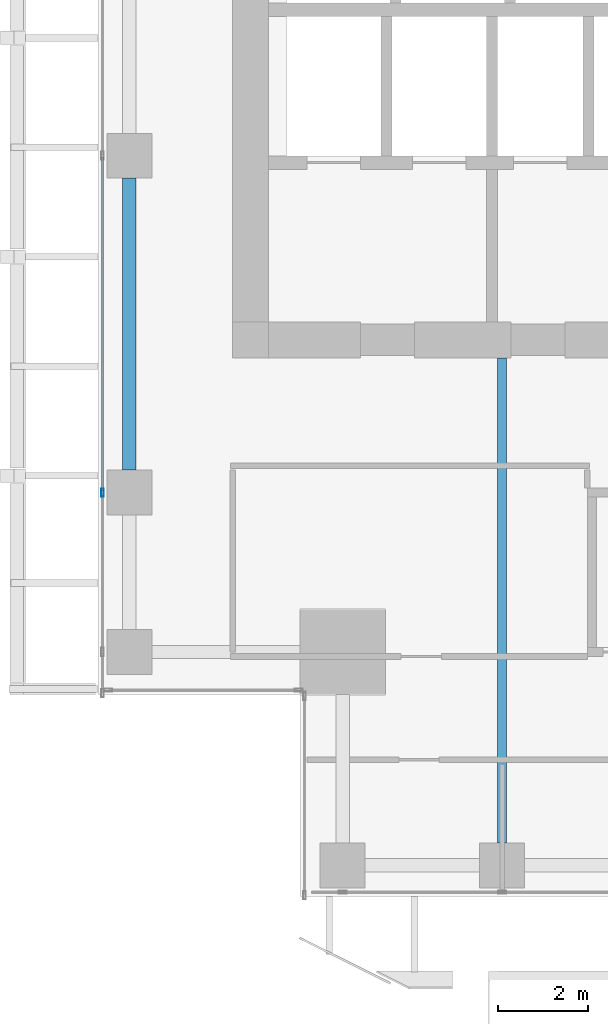
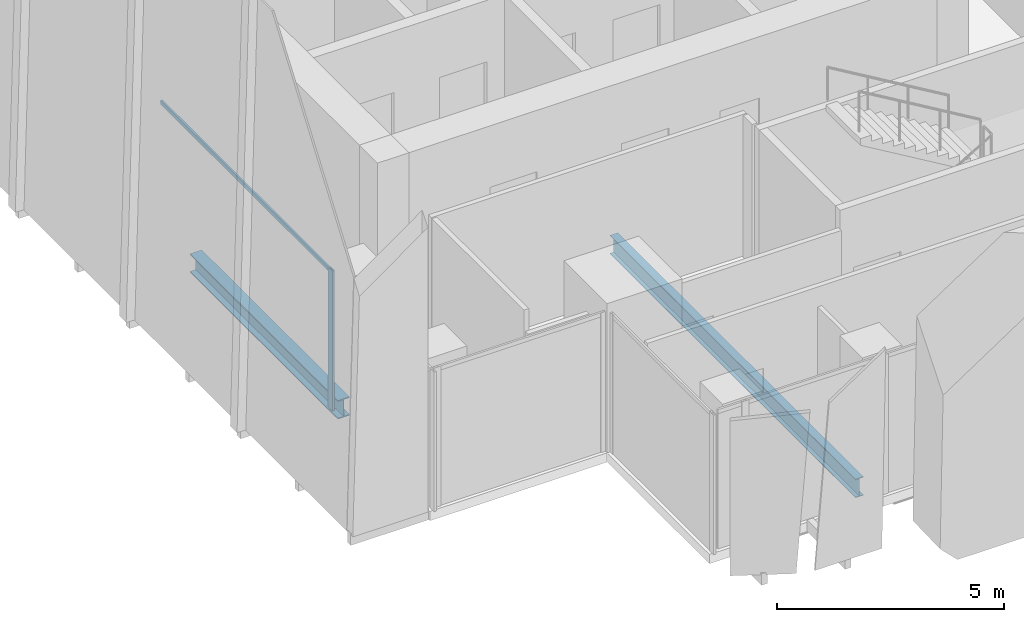
# One storey, part 4 of 35: 2 beams, 2 members, 1 element without a shape of its own.
"""IFC4 building model written with IfcOpenShell, lengths in metres."""

from ifc_helpers import new_model, si_unit, direction, frame, origin, origin_2d, place, context, subcontext, project, spatial, hollow_rectangle, i_section, extrude, source, transform, mapped, material, material_profile, profile_set, type_object, element, aggregate, save


model = new_model("IFC4")

# Units and contexts
model_context = context("Model", 3, precision=1e-05, world=origin(), true_north=direction((0.0, 1.0)))
body_context = subcontext(model_context, "Body", "Model", "MODEL_VIEW")
ifc_project = project(units=[si_unit("LENGTHUNIT", "METRE"), si_unit("AREAUNIT", "SQUARE_METRE"), si_unit("VOLUMEUNIT", "CUBIC_METRE"), si_unit("PLANEANGLEUNIT", "RADIAN"), si_unit("MASSUNIT", "GRAM", prefix="KILO")], contexts=[model_context])

# Site, building, storey
site_placement = place(None, origin())
site = spatial("IfcSite", under=ifc_project, at=site_placement, CompositionType="ELEMENT")
building_placement = place(site_placement, origin())
building = spatial("IfcBuilding", under=site, at=building_placement, Name="Khomas Fold Tower", CompositionType="ELEMENT")
storey_placement = place(building_placement, frame((0.0, 0.0, 188.699951171875)))
storey = spatial("IfcBuildingStorey", under=building, at=storey_placement, Name="L41", CompositionType="ELEMENT", Elevation=188.699951171875)

# Beams
ifc_material_1 = material(Name="Steel S355", Category="steel")
ifc_material_profile_1 = material_profile(ifc_material_1, i_section(OverallWidth=0.300048828125, OverallDepth=0.5, WebThickness=0.014404296875, FlangeThickness=0.028076171875, at=origin_2d()), Name="HE 500 B")
ifc_profile_set_1 = profile_set([ifc_material_profile_1], Name="Steel S355")
beam_type_1 = type_object("IfcBeamType", Name="HE 500 B spandrel SB3", PredefinedType="SPANDREL", material=ifc_profile_set_1)
shared_shape_1 = source(origin(), body_context, "Body", "SweptSolid", [
    extrude(i_section(OverallWidth=0.300048828125, OverallDepth=0.5, WebThickness=0.014404296875, FlangeThickness=0.028076171875, at=origin_2d()), origin(), (0.0, 0.0, 1.0), 6.5),
])
beam_1_placement = place(storey_placement, frame((3.699951171875, 12.5, -0.5), z_axis=(0.0, 1.0, 0.0), x_axis=(-1.0, 0.0, 0.0)))
element("IfcBeam", 1, at=beam_1_placement, inside=storey, type_object=beam_type_1, Name="SB3", PredefinedType="SPANDREL", context=body_context, shape_type="MappedRepresentation", body=[
    mapped(shared_shape_1, transform((0.0, 0.0, 0.0))),
])
ifc_material_2 = material(Name="Steel S355", Category="steel")
ifc_material_profile_2 = material_profile(ifc_material_2, i_section(OverallWidth=0.199951171875, OverallDepth=0.5, WebThickness=0.01025390625, FlangeThickness=0.01611328125, at=origin_2d()), Name="IPE 500")
ifc_profile_set_2 = profile_set([ifc_material_profile_2], Name="Steel S355")
beam_type_2 = type_object("IfcBeamType", Name="IPE 500 beam JB5", PredefinedType="BEAM", material=ifc_profile_set_2)
shared_shape_2 = source(origin(), body_context, "Body", "SweptSolid", [
    extrude(i_section(OverallWidth=0.199951171875, OverallDepth=0.5, WebThickness=0.01025390625, FlangeThickness=0.01611328125, at=origin_2d()), origin(), (0.0, 0.0, 1.0), 10.800048828125),
])
beam_2_placement = place(storey_placement, frame((12.0, 4.199951171875, -0.5), z_axis=(0.0, 1.0, 0.0), x_axis=(-1.0, 0.0, 0.0)))
element("IfcBeam", 2, at=beam_2_placement, inside=storey, type_object=beam_type_2, Name="JB5", PredefinedType="BEAM", context=body_context, shape_type="MappedRepresentation", body=[
    mapped(shared_shape_2, transform((0.0, 0.0, 0.0))),
])

# Curtain wall, members
ifc_material_3 = material(Name="Aluminium framed double glazing", Category="aluminium")
curtain_wall_type = type_object("IfcCurtainWallType", Name="SK-Unitised clear-glass wall, office floors CW2", PredefinedType="NOTDEFINED", material=ifc_material_3)
curtain_wall_placement = place(storey_placement, origin())
curtain_wall = element("IfcCurtainWall", 3, at=curtain_wall_placement, inside=storey, type_object=curtain_wall_type, Name="CW2 run L41 09-0", PredefinedType="NOTDEFINED")
ifc_material_4 = material(Name="Aluminium", Category="aluminium")
ifc_material_profile_3 = material_profile(ifc_material_4, hollow_rectangle(XDim=0.06005859375, YDim=0.179931640625, WallThickness=0.00390625, at=origin_2d()), Name="SK-Unitised clear-glass wall, office floors mullion CW2-M")
ifc_profile_set_3 = profile_set([ifc_material_profile_3], Name="Aluminium")
member_type_1 = type_object("IfcMemberType", Name="SK-Unitised clear-glass wall, office floors mullion CW2-M", PredefinedType="MULLION", material=ifc_profile_set_3)
shared_shape_3 = source(origin(), body_context, "Body", "SweptSolid", [
    extrude(hollow_rectangle(XDim=0.06005859375, YDim=0.179931640625, WallThickness=0.00390625, at=origin_2d()), origin(), (0.0, 0.0, 1.0), 3.75),
])
member_1_placement = place(storey_placement, frame((3.10009765625, 12.0, 0.0), z_axis=(0.0, 0.0, 1.0), x_axis=(1.0, 0.0, 0.0)))
member_1 = element("IfcMember", 4, at=member_1_placement, type_object=member_type_1, Name="CW2 mullion 7", PredefinedType="MULLION", context=body_context, shape_type="MappedRepresentation", body=[
    mapped(shared_shape_3, transform((0.0, 0.0, 0.0))),
])
ifc_material_5 = material(Name="Aluminium", Category="aluminium")
ifc_material_profile_4 = material_profile(ifc_material_5, hollow_rectangle(XDim=0.050048828125, YDim=0.110107421875, WallThickness=0.00390625, at=origin_2d()), Name="SK-Unitised clear-glass wall, office floors transom CW2-T")
ifc_profile_set_4 = profile_set([ifc_material_profile_4], Name="Aluminium")
member_type_2 = type_object("IfcMemberType", Name="SK-Unitised clear-glass wall, office floors transom CW2-T", PredefinedType="USERDEFINED", material=ifc_profile_set_4)
shared_shape_4 = source(origin(), body_context, "Body", "SweptSolid", [
    extrude(hollow_rectangle(XDim=0.050048828125, YDim=0.110107421875, WallThickness=0.00390625, at=origin_2d()), origin(), (0.0, 0.0, 1.0), 7.43994140625),
])
member_2_placement = place(storey_placement, frame((3.10009765625, 19.469970703125, 3.695068359375), z_axis=(0.0, -1.0, 0.0), x_axis=(1.0, 0.0, 0.0)))
member_2 = element("IfcMember", 5, at=member_2_placement, type_object=member_type_2, Name="CW2 transom 6", ObjectType="TRANSOM", PredefinedType="USERDEFINED", context=body_context, shape_type="MappedRepresentation", body=[
    mapped(shared_shape_4, transform((0.0, 0.0, 0.0))),
])
aggregate(curtain_wall, [member_1, member_2])

save(model, "model.ifc")
